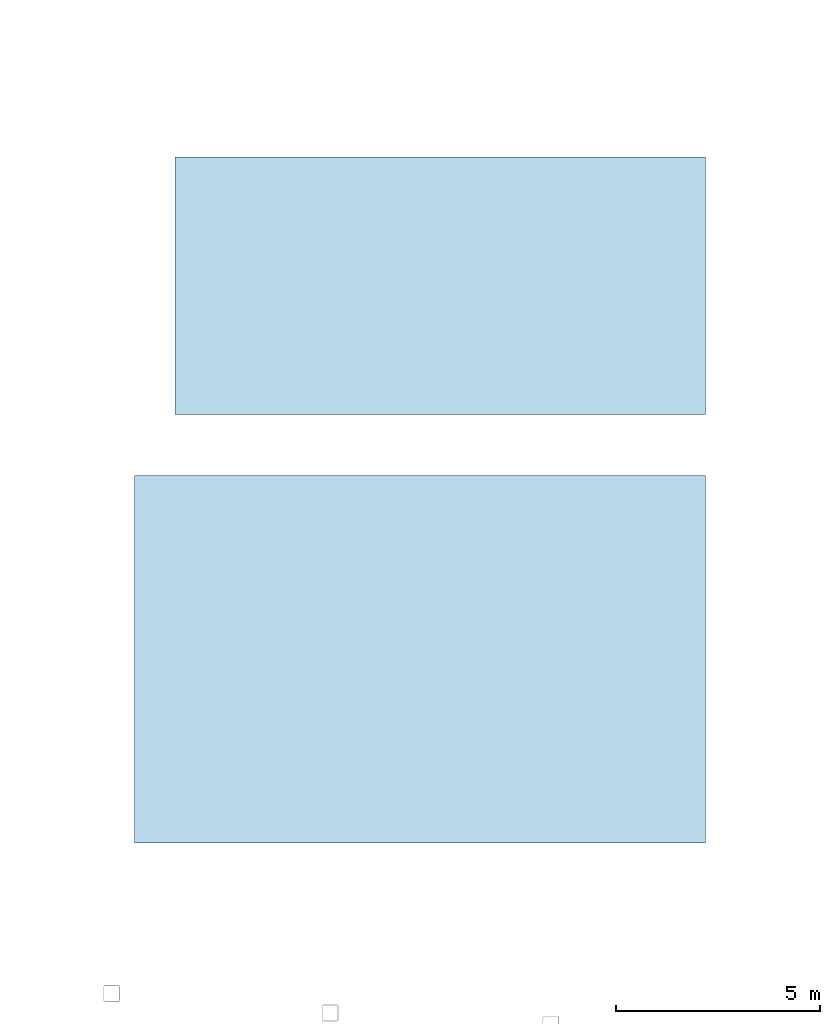
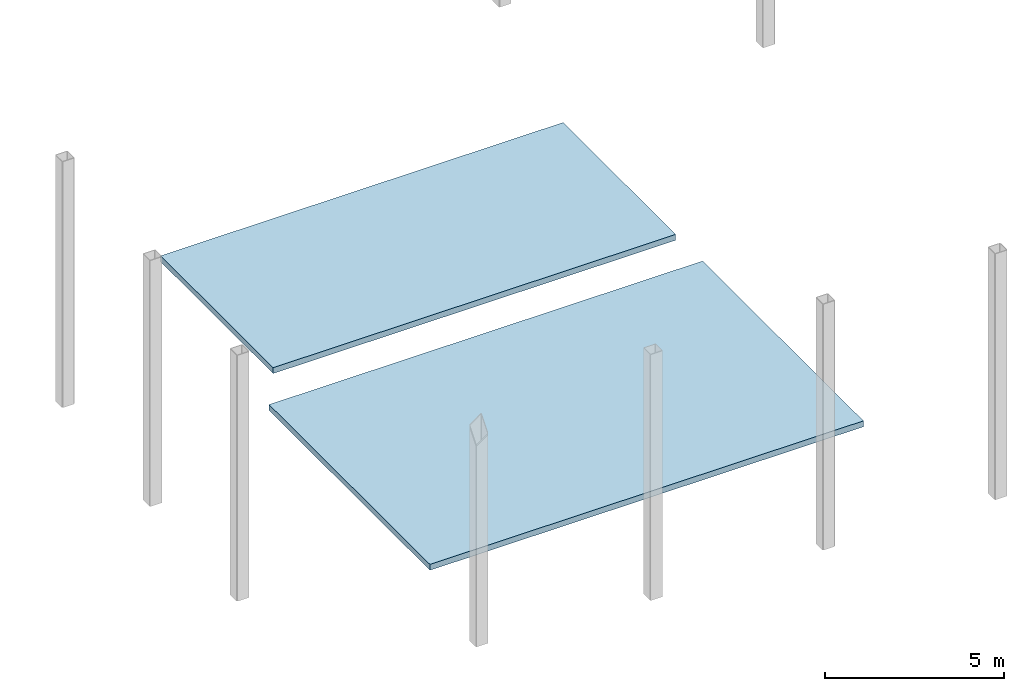
# One storey, part 3 of 3: 2 slabs.
"""IFC4 building model written with IfcOpenShell, lengths in metres."""

import ifcopenshell
import ifcopenshell.guid

model = None  # the IFC model being written
_history = None  # IfcOwnerHistory: only IFC2X3 demands one
_inside = {}  # id of a spatial element -> (the spatial element, [elements in it])
_under = {}  # id of a project, library or spatial element -> (it, [spatial elements below it])
_declared = {}  # id of a project -> (the project, [libraries it declares])
_typed = {}  # id of a type object -> (the type object, [elements of that type])
_made_of = {}  # id of a material, layer set ... -> (it, [elements and type objects made of it])


def new_model(schema):
    """Start an empty IFC model of exactly this schema.

    Asked for "IFC4X3", IfcOpenShell would pick the latest addendum, in which some entities
    have other attributes; the version numbers below select the first issue.
    IFC2X3 requires an IfcOwnerHistory on every rooted entity: one is made here for all.
    """
    global model, _history
    if schema == "IFC4X3":
        model = ifcopenshell.file(schema_version=(4, 3, 0, 0))
    else:
        model = ifcopenshell.file(schema=schema)
    _inside.clear()
    _under.clear()
    _declared.clear()
    _typed.clear()
    _made_of.clear()
    _history = None
    if model.schema == "IFC2X3":
        org = make("IfcOrganization", Name="unknown")
        user = make(
            "IfcPersonAndOrganization",
            ThePerson=make("IfcPerson", FamilyName="unknown"),
            TheOrganization=org,
        )
        app = make(
            "IfcApplication",
            ApplicationDeveloper=org,
            Version="unknown",
            ApplicationFullName="unknown",
            ApplicationIdentifier="unknown",
        )
        _history = make(
            "IfcOwnerHistory",
            OwningUser=user,
            OwningApplication=app,
            ChangeAction="ADDED",
            CreationDate=0,
        )
    return model


def make(cls, **values):
    """One entity of the class cls with the attributes given. An attribute that is None is left unset."""
    return model.create_entity(
        cls, **{name: value for name, value in values.items() if value is not None}
    )


def rooted(cls, **values):
    """An entity with a GlobalId (a new one), such as an element, a storey or a relation."""
    return make(cls, GlobalId=ifcopenshell.guid.new(), OwnerHistory=_history, **values)


def si_unit(unit_type, name, prefix=None):
    """IfcSIUnit, for example si_unit("LENGTHUNIT", "METRE", prefix="MILLI")."""
    return make("IfcSIUnit", UnitType=unit_type, Prefix=prefix, Name=name)


def assignment(units):
    """IfcUnitAssignment: the units of a project."""
    return None if units is None else make("IfcUnitAssignment", Units=units)


def point(xyz):
    """IfcCartesianPoint."""
    return None if xyz is None else make("IfcCartesianPoint", Coordinates=xyz)


def direction(xyz):
    """IfcDirection."""
    return None if xyz is None else make("IfcDirection", DirectionRatios=xyz)


def frame(location, z_axis=None, x_axis=None):
    """IfcAxis2Placement3D, a coordinate frame: its origin and axes. An axis left out is left unset."""
    return make(
        "IfcAxis2Placement3D",
        Location=point(location),
        Axis=direction(z_axis),
        RefDirection=direction(x_axis),
    )


def origin():
    """The frame at (0, 0, 0) with its axes left unset."""
    return frame((0.0, 0.0, 0.0))


def place(relative_to, where):
    """IfcLocalPlacement: puts the frame where relative to a parent placement (None: the world)."""
    return make(
        "IfcLocalPlacement", PlacementRelTo=relative_to, RelativePlacement=where
    )


def context(
    kind, dimensions, precision=None, world=None, true_north=None, identifier=None
):
    """IfcGeometricRepresentationContext, for example the 3D "Model" context."""
    return make(
        "IfcGeometricRepresentationContext",
        ContextIdentifier=identifier,
        ContextType=kind,
        CoordinateSpaceDimension=dimensions,
        Precision=precision,
        WorldCoordinateSystem=world,
        TrueNorth=true_north,
    )


def subcontext(parent, identifier, kind, view, scale=None):
    """IfcGeometricRepresentationSubContext, for example "Body" below "Model"."""
    return make(
        "IfcGeometricRepresentationSubContext",
        ContextIdentifier=identifier,
        ContextType=kind,
        ParentContext=parent,
        TargetScale=scale,
        TargetView=view,
    )


def project(units=None, contexts=None):
    """IfcProject with its units and contexts."""
    return rooted(
        "IfcProject",
        Name="project",
        RepresentationContexts=contexts,
        UnitsInContext=assignment(units),
    )


def spatial(cls, under=None, at=None, **own):
    """A site, building, storey or space (cls), placed at a placement, below another one or the project."""
    s = rooted(cls, ObjectPlacement=at, **own)
    if under is not None:
        _under.setdefault(under.id(), (under, []))[1].append(s)
    return s


def polyline(points):
    """IfcPolyline through the points."""
    return make("IfcPolyline", Points=[point(p) for p in points])


def outline(outer, holes=None, kind="AREA"):
    """IfcArbitraryClosedProfileDef: a profile drawn as a closed curve; with holes, ...WithVoids."""
    if holes is None:
        return make("IfcArbitraryClosedProfileDef", ProfileType=kind, OuterCurve=outer)
    return make(
        "IfcArbitraryProfileDefWithVoids",
        ProfileType=kind,
        OuterCurve=outer,
        InnerCurves=holes,
    )


def extrude(swept, where, along, depth):
    """IfcExtrudedAreaSolid: the profile swept, set in the frame where, extruded along a direction by depth."""
    return make(
        "IfcExtrudedAreaSolid",
        SweptArea=swept,
        Position=where,
        ExtrudedDirection=direction(along),
        Depth=depth,
    )


def shape(context_of_items, identifier, shape_type, items):
    """IfcShapeRepresentation: the items that make up one representation, for example the "Body"."""
    return make(
        "IfcShapeRepresentation",
        ContextOfItems=context_of_items,
        RepresentationIdentifier=identifier,
        RepresentationType=shape_type,
        Items=items,
    )


def material(Name=None, Category=None):
    """IfcMaterial."""
    return make("IfcMaterial", Name=Name, Category=Category)


def layer(
    of_material, thickness, ventilated=None, Name=None, Category=None, Priority=None
):
    """IfcMaterialLayer: one layer of a wall or slab, of a material (None: an air gap)."""
    return make(
        "IfcMaterialLayer",
        Material=of_material,
        LayerThickness=thickness,
        IsVentilated=ventilated,
        Name=Name,
        Category=Category,
        Priority=Priority,
    )


def layer_set(layers, Name=None):
    """IfcMaterialLayerSet."""
    return make("IfcMaterialLayerSet", MaterialLayers=layers, LayerSetName=Name)


def made_of(thing, what):
    """Note that an element or type object is made of a material, layer set ...; save() writes the relation."""
    if what is not None:
        _made_of.setdefault(what.id(), (what, []))[1].append(thing)
    return thing


def type_object(cls, material=None, **own):
    """A type object (cls), such as IfcWallType, which elements share."""
    return made_of(rooted(cls, **own), material)


def element(
    cls,
    number,
    at=None,
    inside=None,
    cuts=None,
    type_object=None,
    material=None,
    context=None,
    identifier="Body",
    shape_type=None,
    held_by="IfcProductDefinitionShape",
    body=None,
    shapes=None,
    **own,
):
    """One element of the class cls, such as IfcWall. Its Tag is "e" and its number.

    at: its placement. inside: the storey or other place that contains it. cuts: it is an
    opening in that element (IfcRelVoidsElement). A single representation is given by context,
    identifier, shape_type and body (its items); several are given by shapes. held_by: the class
    of the entity that holds the representations. save() writes the other relations.
    """
    e = rooted(cls, Tag="e%d" % number, ObjectPlacement=at, **own)
    if body is not None:
        shapes = [shape(context, identifier, shape_type, body)]
    if shapes is not None:
        e.Representation = make(held_by, Representations=shapes)
    if inside is not None:
        _inside.setdefault(inside.id(), (inside, []))[1].append(e)
    if cuts is not None:
        rooted(
            "IfcRelVoidsElement", RelatingBuildingElement=cuts, RelatedOpeningElement=e
        )
    if type_object is not None:
        _typed.setdefault(type_object.id(), (type_object, []))[1].append(e)
    return made_of(e, material)


def aggregate(whole, parts):
    """IfcRelAggregates: a whole, such as a stair, and the parts it consists of."""
    return rooted("IfcRelAggregates", RelatingObject=whole, RelatedObjects=parts)


def save(model, path):
    """Write the relations noted so far, then the file.

    IfcRelAggregates (storeys below a building ...), IfcRelContainedInSpatialStructure (elements
    in a storey), IfcRelDefinesByType, IfcRelAssociatesMaterial and IfcRelDeclares: one each for
    every whole, place, type object, material and project.
    """
    for whole, parts in _under.values():
        aggregate(whole, parts)
    for where, things in _inside.values():
        rooted(
            "IfcRelContainedInSpatialStructure",
            RelatedElements=things,
            RelatingStructure=where,
        )
    for kind, things in _typed.values():
        rooted("IfcRelDefinesByType", RelatedObjects=things, RelatingType=kind)
    for what, things in _made_of.values():
        rooted("IfcRelAssociatesMaterial", RelatedObjects=things, RelatingMaterial=what)
    for by, libraries in _declared.values():
        rooted("IfcRelDeclares", RelatingContext=by, RelatedDefinitions=libraries)
    model.write(path)


model = new_model("IFC4")

# Units and contexts
model_context = context("Model", 3, precision=1e-05, world=origin(), true_north=direction((0.0, 1.0)))
body_context = subcontext(model_context, "Body", "Model", "MODEL_VIEW")
ifc_project = project(units=[si_unit("LENGTHUNIT", "METRE"), si_unit("AREAUNIT", "SQUARE_METRE"), si_unit("VOLUMEUNIT", "CUBIC_METRE"), si_unit("PLANEANGLEUNIT", "RADIAN"), si_unit("MASSUNIT", "GRAM", prefix="KILO")], contexts=[model_context])

# Site, building, storey
site_placement = place(None, origin())
site = spatial("IfcSite", under=ifc_project, at=site_placement, CompositionType="ELEMENT")
building_placement = place(site_placement, origin())
building = spatial("IfcBuilding", under=site, at=building_placement, Name="Kheshtan School and Residences Tower", CompositionType="ELEMENT")
storey_placement = place(building_placement, frame((0.0, 0.0, 416.39990234375)))
storey = spatial("IfcBuildingStorey", under=building, at=storey_placement, Name="Upper roof", CompositionType="ELEMENT", Elevation=416.39990234375)

# Slabs
ifc_material = material(Name="Zinc standing seam on insulated deck")
ifc_layer = layer(ifc_material, 0.199951171875)
ifc_layer_set = layer_set([ifc_layer], Name="Crown roof 200")
slab_type = type_object("IfcSlabType", Name="Crown roof 200", PredefinedType="ROOF", material=ifc_layer_set)
slab_1_placement = place(storey_placement, origin())
element("IfcSlab", 1, at=slab_1_placement, inside=storey, type_object=slab_type, Name="Rooftop plant room 1 roof", PredefinedType="ROOF", context=body_context, shape_type="SweptSolid", body=[
    extrude(outline(polyline([(46.0, 28.0), (46.0, 37.0), (32.0, 37.0), (32.0, 28.0), (46.0, 28.0)])), origin(), (0.0, 0.0, 1.0), 0.2001953125),
])
slab_2_placement = place(storey_placement, origin())
element("IfcSlab", 2, at=slab_2_placement, inside=storey, type_object=slab_type, Name="Rooftop plant room 2 roof", PredefinedType="ROOF", context=body_context, shape_type="SweptSolid", body=[
    extrude(outline(polyline([(46.0, 38.5), (46.0, 44.800048828125), (33.0, 44.800048828125), (33.0, 38.5), (46.0, 38.5)])), origin(), (0.0, 0.0, 1.0), 0.2001953125),
])

save(model, "model.ifc")
